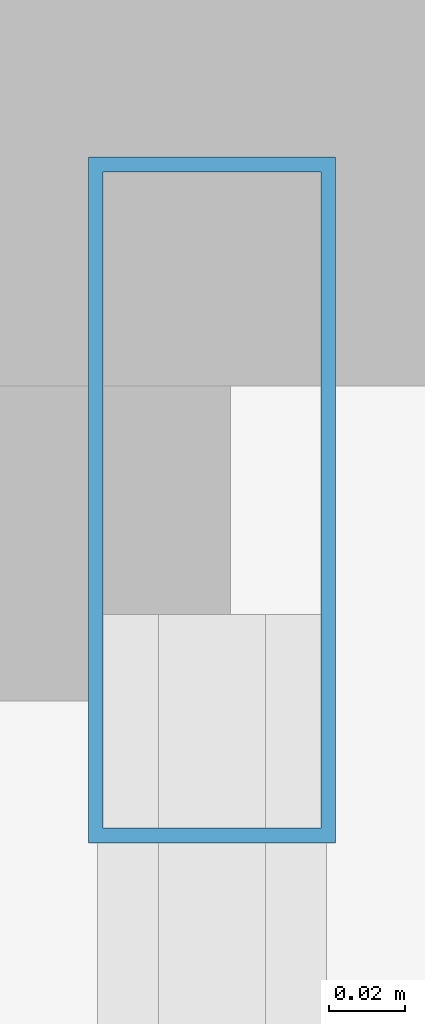
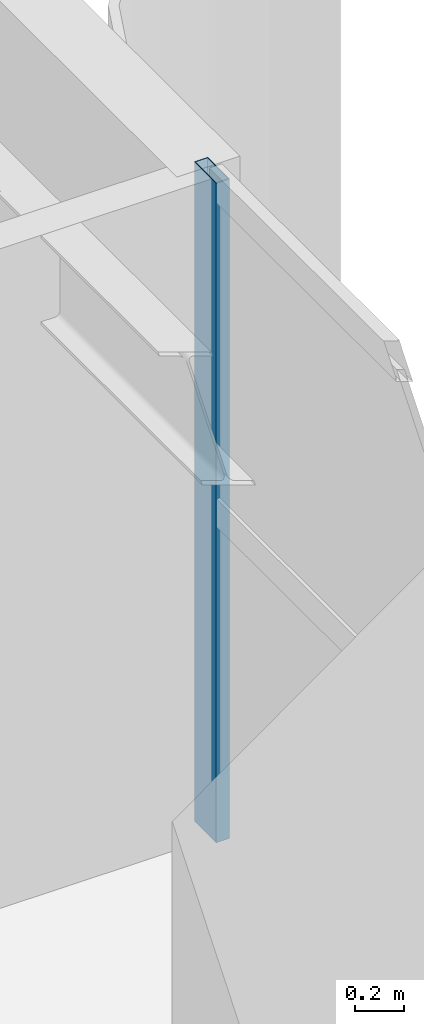
# One storey, part 14 of 25: 1 member, 1 element without a shape of its own.
"""IFC4 building model written with IfcOpenShell, lengths in metres."""

from ifc_helpers import new_model, si_unit, direction, frame, origin, origin_2d, place, context, subcontext, project, spatial, hollow_rectangle, extrude, source, transform, mapped, material, layer, layer_set, material_profile, profile_set, type_object, element, aggregate, save


model = new_model("IFC4")

# Units and contexts
model_context = context("Model", 3, precision=1e-05, world=origin(), true_north=direction((0.0, 1.0)))
body_context = subcontext(model_context, "Body", "Model", "MODEL_VIEW")
ifc_project = project(units=[si_unit("LENGTHUNIT", "METRE"), si_unit("AREAUNIT", "SQUARE_METRE"), si_unit("VOLUMEUNIT", "CUBIC_METRE"), si_unit("PLANEANGLEUNIT", "RADIAN"), si_unit("MASSUNIT", "GRAM", prefix="KILO")], contexts=[model_context])

# Site, building, storey
site_placement = place(None, origin())
site = spatial("IfcSite", under=ifc_project, at=site_placement, CompositionType="ELEMENT")
building_placement = place(site_placement, origin())
building = spatial("IfcBuilding", under=site, at=building_placement, Name="Khoralis Quay Care Tower", CompositionType="ELEMENT")
storey_placement = place(building_placement, frame((0.0, 0.0, 65.699951171875)))
storey = spatial("IfcBuildingStorey", under=building, at=storey_placement, Name="L17", CompositionType="ELEMENT", Elevation=65.699951171875)

# Curtain wall, member
ifc_material = material(Name="Pale anodised aluminium", Category="aluminium")
ifc_layer = layer(ifc_material, 0.179931640625)
ifc_layer_set = layer_set([ifc_layer], Name="Pale anodised aluminium")
curtain_wall_type = type_object("IfcCurtainWallType", Name="CW-SYS-Z1", PredefinedType="NOTDEFINED", material=ifc_layer_set)
curtain_wall_placement = place(storey_placement, origin())
curtain_wall = element("IfcCurtainWall", 1, at=curtain_wall_placement, inside=storey, type_object=curtain_wall_type, Name="L17 Unitised Curtain Wall CW-L17-P1-E5", PredefinedType="NOTDEFINED")
ifc_material_profile = material_profile(ifc_material, hollow_rectangle(XDim=0.06494140625, YDim=0.179931640625, WallThickness=0.00390625, at=origin_2d()), Name="Pale anodised aluminium")
ifc_profile_set = profile_set([ifc_material_profile], Name="Pale anodised aluminium")
member_type = type_object("IfcMemberType", Name="CW-MUL-180", PredefinedType="MULLION", material=ifc_profile_set)
shared_shape = source(origin(), body_context, "Body", "SweptSolid", [
    extrude(hollow_rectangle(XDim=0.06494140625, YDim=0.179931640625, WallThickness=0.00390625, at=origin_2d()), origin(), (0.0, 0.0, 1.0), 3.320068359375),
])
member_placement = place(storey_placement, frame((47.85009765625, 32.610107421875, 0.0), z_axis=(0.0, 0.0, 1.0), x_axis=(-1.0, 0.0, 0.0)))
member = element("IfcMember", 2, at=member_placement, type_object=member_type, Name="CW1 mullion 6", PredefinedType="MULLION", context=body_context, shape_type="MappedRepresentation", body=[
    mapped(shared_shape, transform((0.0, 0.0, 0.0), scale=1.0)),
])
aggregate(curtain_wall, [member])

save(model, "model.ifc")
